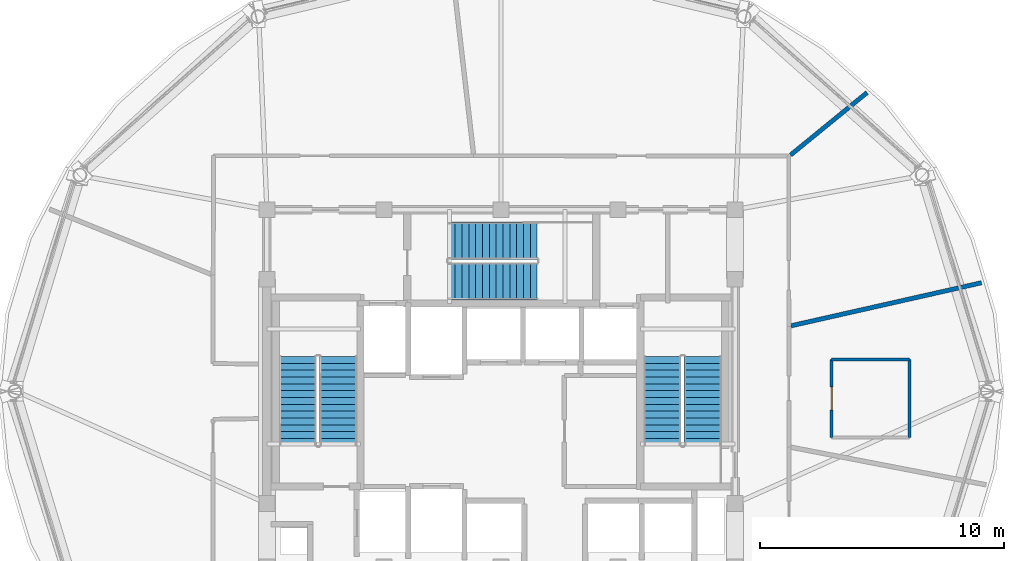
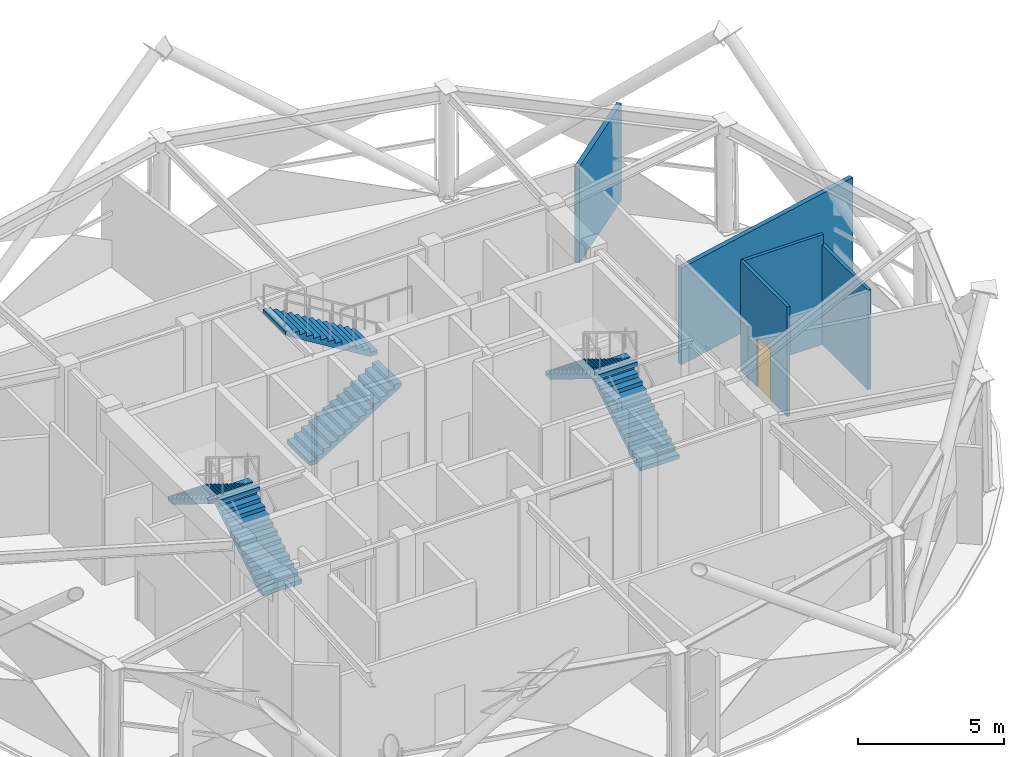
# One storey, part 10 of 14: 6 stair flights, 5 walls, 1 door, 1 opening, 3 elements without a shape of their own.
"""IFC4 building model written with IfcOpenShell, lengths in metres."""

from ifc_helpers import new_model, si_unit, direction, frame, frame_2d, origin, place, context, subcontext, project, spatial, polyline, rectangle, outline, extrude, material, layer, layer_set, type_object, element, fill, aggregate, save


model = new_model("IFC4")

# Units and contexts
model_context = context("Model", 3, precision=1e-05, world=origin(), true_north=direction((0.0, 1.0)))
body_context = subcontext(model_context, "Body", "Model", "MODEL_VIEW")
ifc_project = project(units=[si_unit("LENGTHUNIT", "METRE"), si_unit("AREAUNIT", "SQUARE_METRE"), si_unit("VOLUMEUNIT", "CUBIC_METRE"), si_unit("PLANEANGLEUNIT", "RADIAN"), si_unit("MASSUNIT", "GRAM", prefix="KILO")], contexts=[model_context])

# Site, building, storey
site_placement = place(None, origin())
site = spatial("IfcSite", under=ifc_project, at=site_placement, CompositionType="ELEMENT")
building_placement = place(site_placement, origin())
building = spatial("IfcBuilding", under=site, at=building_placement, Name="Vantalir Tower", CompositionType="ELEMENT")
storey_placement = place(building_placement, frame((0.0, 0.0, 259.050048828125)))
storey = spatial("IfcBuildingStorey", under=building, at=storey_placement, Name="L65", CompositionType="ELEMENT", Elevation=259.050048828125)

# Wall
ifc_material_1 = material(Name="Moisture-resistant en-suite partition", Category="gypsum")
ifc_layer_1 = layer(ifc_material_1, 0.125)
ifc_layer_set_1 = layer_set([ifc_layer_1], Name="Moisture-resistant en-suite partition")
wall_type_1 = type_object("IfcWallType", Name="WL-BATH-125", PredefinedType="PARTITIONING", material=ifc_layer_set_1)
wall_1_placement = place(storey_placement, frame((45.05908203125, 26.305908203125, 0.0), z_axis=(0.0, 0.0, 1.0), x_axis=(1.0, 0.0, 0.0)))
element("IfcWall", 1, at=wall_1_placement, inside=storey, type_object=wall_type_1, Name="L65 Accessible WC North Wall", PredefinedType="PARTITIONING", context=body_context, shape_type="SweptSolid", body=[
    extrude(rectangle(XDim=3.199951171875, YDim=0.125, at=frame_2d((1.60009765625, 0.0))), origin(), (0.0, 0.0, 1.0), 4.599853515625),
])

# Wall, opening, door
wall_2_placement = place(storey_placement, frame((45.05908203125, 23.10595703125, 0.0), z_axis=(0.0, 0.0, 1.0), x_axis=(0.0, 1.0, 0.0)))
wall_2 = element("IfcWall", 2, at=wall_2_placement, inside=storey, type_object=wall_type_1, Name="L65 Accessible WC West Wall", PredefinedType="PARTITIONING", context=body_context, shape_type="SweptSolid", body=[
    extrude(rectangle(XDim=3.199951171875, YDim=0.125, at=frame_2d((1.60009765625, 0.0))), origin(), (0.0, 0.0, 1.0), 4.599853515625),
])
opening_placement = place(wall_2_placement, frame((1.125, 0.0, 0.0)))
opening = element("IfcOpeningElement", 3, at=opening_placement, cuts=wall_2, Name="Opening D-AWC", PredefinedType="OPENING", context=body_context, shape_type="SweptSolid", body=[
    extrude(rectangle(XDim=0.949951171875, YDim=2.10009765625, at=frame_2d((0.47509765625, 1.050048828125))), frame((0.0, 0.072509765625, 0.0), z_axis=(0.0, -1.0, 0.0), x_axis=(1.0, 0.0, 0.0)), (0.0, 0.0, 1.0), 0.14501953125),
])
ifc_material_2 = material(Name="Accessible toilet outward-opening hardwood door", Category="wood")
door_type = type_object("IfcDoorType", Name="DR-ACC-WC-950", OperationType="NOTDEFINED", PredefinedType="DOOR", material=ifc_material_2)
door_placement = place(opening_placement, origin())
door = element("IfcDoor", 4, at=door_placement, inside=storey, type_object=door_type, Name="L65 Accessible WC Door", OperationType="SINGLE_SWING_RIGHT", OverallHeight=2.10009765625, OverallWidth=0.949951171875, PredefinedType="DOOR", context=body_context, shape_type="SweptSolid", body=[
    extrude(rectangle(XDim=0.949951171875, YDim=2.10009765625, at=frame_2d((0.47509765625, 1.050048828125))), frame((0.0, 0.02490234375, 0.0), z_axis=(0.0, -1.0, 0.0), x_axis=(1.0, 0.0, 0.0)), (0.0, 0.0, 1.0), 0.050048828125),
])
fill(opening, door)

# Walls
wall_3_placement = place(storey_placement, frame((48.259033203125, 23.10595703125, 0.0), z_axis=(0.0, 0.0, 1.0), x_axis=(0.0, 1.0, 0.0)))
element("IfcWall", 5, at=wall_3_placement, inside=storey, type_object=wall_type_1, Name="L65 Accessible WC East Wall", PredefinedType="PARTITIONING", context=body_context, shape_type="SweptSolid", body=[
    extrude(rectangle(XDim=3.199951171875, YDim=0.125, at=frame_2d((1.60009765625, 0.0))), origin(), (0.0, 0.0, 1.0), 4.181884765625),
])
ifc_material_3 = material(Name="Twin-stud acoustic fire-rated gypsum partition", Category="gypsum")
ifc_layer_2 = layer(ifc_material_3, 0.179931640625)
ifc_layer_set_2 = layer_set([ifc_layer_2], Name="Twin-stud acoustic fire-rated gypsum partition")
wall_type_2 = type_object("IfcWallType", Name="WL-GUEST-180", PredefinedType="PARTITIONING", material=ifc_layer_set_2)
wall_4_placement = place(storey_placement, frame((43.389892578125, 27.68798828125, 0.0), z_axis=(0.0, 0.0, 1.0), x_axis=(0.975417122477, 0.220366597237, 0.0)))
element("IfcWall", 6, at=wall_4_placement, inside=storey, type_object=wall_type_2, Name="L65 Radial Suite Partition 01", PredefinedType="PARTITIONING", context=body_context, shape_type="SweptSolid", body=[
    extrude(rectangle(XDim=8.0087890625, YDim=0.179931640625, at=frame_2d((4.00439453125, 0.0))), origin(), (0.0, 0.0, 1.0), 4.052978515625),
])
wall_5_placement = place(storey_placement, frame((43.3701171875, 34.68896484375, 0.0), z_axis=(0.0, 0.0, 1.0), x_axis=(0.774684083266, 0.632348457051, 0.0)))
element("IfcWall", 7, at=wall_5_placement, inside=storey, type_object=wall_type_2, Name="L65 Radial Suite Partition 02", PredefinedType="PARTITIONING", context=body_context, shape_type="SweptSolid", body=[
    extrude(rectangle(XDim=4.05322265625, YDim=0.179931640625, at=frame_2d((2.026611328125, 0.0))), origin(), (0.0, 0.0, 1.0), 4.052978515625),
])

# Stair, stair flights
ifc_material_4 = material(Name="Concrete C40/50", Category="concrete")
stair_type = type_object("IfcStairType", Name="STR-CORE-1450", PredefinedType="HALF_TURN_STAIR", material=ifc_material_4)
stair_1_placement = place(storey_placement, origin())
stair_1 = element("IfcStair", 8, at=stair_1_placement, inside=storey, type_object=stair_type, Name="L65 Core Exit Stair 1", PredefinedType="HALF_TURN_STAIR")
stair_flight_type = type_object("IfcStairFlightType", Name="FLT-CORE-1450", PredefinedType="STRAIGHT", material=ifc_material_4)
stair_flight_1_placement = place(storey_placement, frame((24.830078125, 22.7900390625, 0.0), z_axis=(0.0, 0.0, 1.0), x_axis=(0.0, 1.0, 0.0)))
stair_flight_1 = element("IfcStairFlight", 9, at=stair_flight_1_placement, type_object=stair_flight_type, Name="ST1 flight 1", NumberOfRisers=14, NumberOfTreads=13, PredefinedType="STRAIGHT", RiserHeight=0.171428571, TreadLength=0.28, context=body_context, shape_type="SweptSolid", body=[
    extrude(outline(polyline([(0.0, 0.0), (0.0, 0.17138671875), (0.280029296875, 0.17138671875), (0.280029296875, 0.3427734375), (0.56005859375, 0.3427734375), (0.56005859375, 0.514404296875), (0.840087890625, 0.514404296875), (0.840087890625, 0.685791015625), (1.1201171875, 0.685791015625), (1.1201171875, 0.857177734375), (1.39990234375, 0.857177734375), (1.39990234375, 1.028564453125), (1.679931640625, 1.028564453125), (1.679931640625, 1.199951171875), (1.9599609375, 1.199951171875), (1.9599609375, 1.371337890625), (2.239990234375, 1.371337890625), (2.239990234375, 1.54296875), (2.52001953125, 1.54296875), (2.52001953125, 1.71435546875), (2.800048828125, 1.71435546875), (2.800048828125, 1.8857421875), (3.080078125, 1.8857421875), (3.080078125, 2.05712890625), (3.360107421875, 2.05712890625), (3.360107421875, 2.228515625), (3.639892578125, 2.228515625), (3.639892578125, 2.39990234375), (3.639892578125, 2.052734375), (0.287109375, 0.0), (0.0, 0.0)])), frame((0.0, 0.77001953125, 0.0), z_axis=(0.0, -1.0, 0.0), x_axis=(1.0, 0.0, 0.0)), (0.0, 0.0, 1.0), 1.5400390625),
])
stair_flight_2_placement = place(storey_placement, frame((23.169921875, 26.429931640625, 2.39990234375), z_axis=(0.0, 0.0, 1.0), x_axis=(0.0, -1.0, 0.0)))
stair_flight_2 = element("IfcStairFlight", 10, at=stair_flight_2_placement, type_object=stair_flight_type, Name="ST1 flight 2", NumberOfRisers=14, NumberOfTreads=13, PredefinedType="STRAIGHT", RiserHeight=0.171428571, TreadLength=0.28, context=body_context, shape_type="SweptSolid", body=[
    extrude(outline(polyline([(0.0, 0.0), (0.0, 0.17138671875), (0.280029296875, 0.17138671875), (0.280029296875, 0.3427734375), (0.56005859375, 0.3427734375), (0.56005859375, 0.514404296875), (0.840087890625, 0.514404296875), (0.840087890625, 0.685791015625), (1.1201171875, 0.685791015625), (1.1201171875, 0.857177734375), (1.39990234375, 0.857177734375), (1.39990234375, 1.028564453125), (1.679931640625, 1.028564453125), (1.679931640625, 1.199951171875), (1.9599609375, 1.199951171875), (1.9599609375, 1.371337890625), (2.239990234375, 1.371337890625), (2.239990234375, 1.54296875), (2.52001953125, 1.54296875), (2.52001953125, 1.71435546875), (2.800048828125, 1.71435546875), (2.800048828125, 1.8857421875), (3.080078125, 1.8857421875), (3.080078125, 2.05712890625), (3.360107421875, 2.05712890625), (3.360107421875, 2.228515625), (3.639892578125, 2.228515625), (3.639892578125, 2.39990234375), (3.639892578125, 2.052734375), (0.287109375, 0.0), (0.0, 0.0)])), frame((0.0, 0.77001953125, 0.0), z_axis=(0.0, -1.0, 0.0), x_axis=(1.0, 0.0, 0.0)), (0.0, 0.0, 1.0), 1.5400390625),
])
aggregate(stair_1, [stair_flight_1, stair_flight_2])

stair_2_placement = place(storey_placement, origin())
stair_2 = element("IfcStair", 11, at=stair_2_placement, inside=storey, type_object=stair_type, Name="L65 Core Exit Stair 2", PredefinedType="HALF_TURN_STAIR")
stair_flight_3_placement = place(storey_placement, frame((39.780029296875, 22.7900390625, 0.0), z_axis=(0.0, 0.0, 1.0), x_axis=(0.0, 1.0, 0.0)))
stair_flight_3 = element("IfcStairFlight", 12, at=stair_flight_3_placement, type_object=stair_flight_type, Name="ST2 flight 1", NumberOfRisers=14, NumberOfTreads=13, PredefinedType="STRAIGHT", RiserHeight=0.171428571, TreadLength=0.28, context=body_context, shape_type="SweptSolid", body=[
    extrude(outline(polyline([(0.0, 0.0), (0.0, 0.17138671875), (0.280029296875, 0.17138671875), (0.280029296875, 0.3427734375), (0.56005859375, 0.3427734375), (0.56005859375, 0.514404296875), (0.840087890625, 0.514404296875), (0.840087890625, 0.685791015625), (1.1201171875, 0.685791015625), (1.1201171875, 0.857177734375), (1.39990234375, 0.857177734375), (1.39990234375, 1.028564453125), (1.679931640625, 1.028564453125), (1.679931640625, 1.199951171875), (1.9599609375, 1.199951171875), (1.9599609375, 1.371337890625), (2.239990234375, 1.371337890625), (2.239990234375, 1.54296875), (2.52001953125, 1.54296875), (2.52001953125, 1.71435546875), (2.800048828125, 1.71435546875), (2.800048828125, 1.8857421875), (3.080078125, 1.8857421875), (3.080078125, 2.05712890625), (3.360107421875, 2.05712890625), (3.360107421875, 2.228515625), (3.639892578125, 2.228515625), (3.639892578125, 2.39990234375), (3.639892578125, 2.052734375), (0.287109375, 0.0), (0.0, 0.0)])), frame((0.0, 0.77001953125, 0.0), z_axis=(0.0, -1.0, 0.0), x_axis=(1.0, 0.0, 0.0)), (0.0, 0.0, 1.0), 1.5400390625),
])
stair_flight_4_placement = place(storey_placement, frame((38.1201171875, 26.429931640625, 2.39990234375), z_axis=(0.0, 0.0, 1.0), x_axis=(0.0, -1.0, 0.0)))
stair_flight_4 = element("IfcStairFlight", 13, at=stair_flight_4_placement, type_object=stair_flight_type, Name="ST2 flight 2", NumberOfRisers=14, NumberOfTreads=13, PredefinedType="STRAIGHT", RiserHeight=0.171428571, TreadLength=0.28, context=body_context, shape_type="SweptSolid", body=[
    extrude(outline(polyline([(0.0, 0.0), (0.0, 0.17138671875), (0.280029296875, 0.17138671875), (0.280029296875, 0.3427734375), (0.56005859375, 0.3427734375), (0.56005859375, 0.514404296875), (0.840087890625, 0.514404296875), (0.840087890625, 0.685791015625), (1.1201171875, 0.685791015625), (1.1201171875, 0.857177734375), (1.39990234375, 0.857177734375), (1.39990234375, 1.028564453125), (1.679931640625, 1.028564453125), (1.679931640625, 1.199951171875), (1.9599609375, 1.199951171875), (1.9599609375, 1.371337890625), (2.239990234375, 1.371337890625), (2.239990234375, 1.54296875), (2.52001953125, 1.54296875), (2.52001953125, 1.71435546875), (2.800048828125, 1.71435546875), (2.800048828125, 1.8857421875), (3.080078125, 1.8857421875), (3.080078125, 2.05712890625), (3.360107421875, 2.05712890625), (3.360107421875, 2.228515625), (3.639892578125, 2.228515625), (3.639892578125, 2.39990234375), (3.639892578125, 2.052734375), (0.287109375, 0.0), (0.0, 0.0)])), frame((0.0, 0.77001953125, 0.0), z_axis=(0.0, -1.0, 0.0), x_axis=(1.0, 0.0, 0.0)), (0.0, 0.0, 1.0), 1.5400390625),
])
aggregate(stair_2, [stair_flight_3, stair_flight_4])

stair_3_placement = place(storey_placement, origin())
stair_3 = element("IfcStair", 14, at=stair_3_placement, inside=storey, type_object=stair_type, Name="L65 Core Exit Stair 3", PredefinedType="HALF_TURN_STAIR")
stair_flight_5_placement = place(storey_placement, frame((29.340087890625, 29.52001953125, 0.0), z_axis=(0.0, 0.0, 1.0), x_axis=(1.0, 0.0, 0.0)))
stair_flight_5 = element("IfcStairFlight", 15, at=stair_flight_5_placement, type_object=stair_flight_type, Name="ST3 flight 1", NumberOfRisers=14, NumberOfTreads=13, PredefinedType="STRAIGHT", RiserHeight=0.171428571, TreadLength=0.28, context=body_context, shape_type="SweptSolid", body=[
    extrude(outline(polyline([(0.0, 0.0), (0.0, 0.17138671875), (0.280029296875, 0.17138671875), (0.280029296875, 0.3427734375), (0.56005859375, 0.3427734375), (0.56005859375, 0.514404296875), (0.840087890625, 0.514404296875), (0.840087890625, 0.685791015625), (1.1201171875, 0.685791015625), (1.1201171875, 0.857177734375), (1.39990234375, 0.857177734375), (1.39990234375, 1.028564453125), (1.679931640625, 1.028564453125), (1.679931640625, 1.199951171875), (1.9599609375, 1.199951171875), (1.9599609375, 1.371337890625), (2.239990234375, 1.371337890625), (2.239990234375, 1.54296875), (2.52001953125, 1.54296875), (2.52001953125, 1.71435546875), (2.800048828125, 1.71435546875), (2.800048828125, 1.8857421875), (3.080078125, 1.8857421875), (3.080078125, 2.05712890625), (3.360107421875, 2.05712890625), (3.360107421875, 2.228515625), (3.639892578125, 2.228515625), (3.639892578125, 2.39990234375), (3.639892578125, 2.052734375), (0.287109375, 0.0), (0.0, 0.0)])), frame((0.0, 0.77001953125, 0.0), z_axis=(0.0, -1.0, 0.0), x_axis=(1.0, 0.0, 0.0)), (0.0, 0.0, 1.0), 1.5400390625),
])
stair_flight_6_placement = place(storey_placement, frame((32.97998046875, 31.179931640625, 2.39990234375), z_axis=(0.0, 0.0, 1.0), x_axis=(-1.0, 0.0, 0.0)))
stair_flight_6 = element("IfcStairFlight", 16, at=stair_flight_6_placement, type_object=stair_flight_type, Name="ST3 flight 2", NumberOfRisers=14, NumberOfTreads=13, PredefinedType="STRAIGHT", RiserHeight=0.171428571, TreadLength=0.28, context=body_context, shape_type="SweptSolid", body=[
    extrude(outline(polyline([(0.0, 0.0), (0.0, 0.17138671875), (0.280029296875, 0.17138671875), (0.280029296875, 0.3427734375), (0.56005859375, 0.3427734375), (0.56005859375, 0.514404296875), (0.840087890625, 0.514404296875), (0.840087890625, 0.685791015625), (1.1201171875, 0.685791015625), (1.1201171875, 0.857177734375), (1.39990234375, 0.857177734375), (1.39990234375, 1.028564453125), (1.679931640625, 1.028564453125), (1.679931640625, 1.199951171875), (1.9599609375, 1.199951171875), (1.9599609375, 1.371337890625), (2.239990234375, 1.371337890625), (2.239990234375, 1.54296875), (2.52001953125, 1.54296875), (2.52001953125, 1.71435546875), (2.800048828125, 1.71435546875), (2.800048828125, 1.8857421875), (3.080078125, 1.8857421875), (3.080078125, 2.05712890625), (3.360107421875, 2.05712890625), (3.360107421875, 2.228515625), (3.639892578125, 2.228515625), (3.639892578125, 2.39990234375), (3.639892578125, 2.052734375), (0.287109375, 0.0), (0.0, 0.0)])), frame((0.0, 0.77001953125, 0.0), z_axis=(0.0, -1.0, 0.0), x_axis=(1.0, 0.0, 0.0)), (0.0, 0.0, 1.0), 1.5400390625),
])
aggregate(stair_3, [stair_flight_5, stair_flight_6])

save(model, "model.ifc")
